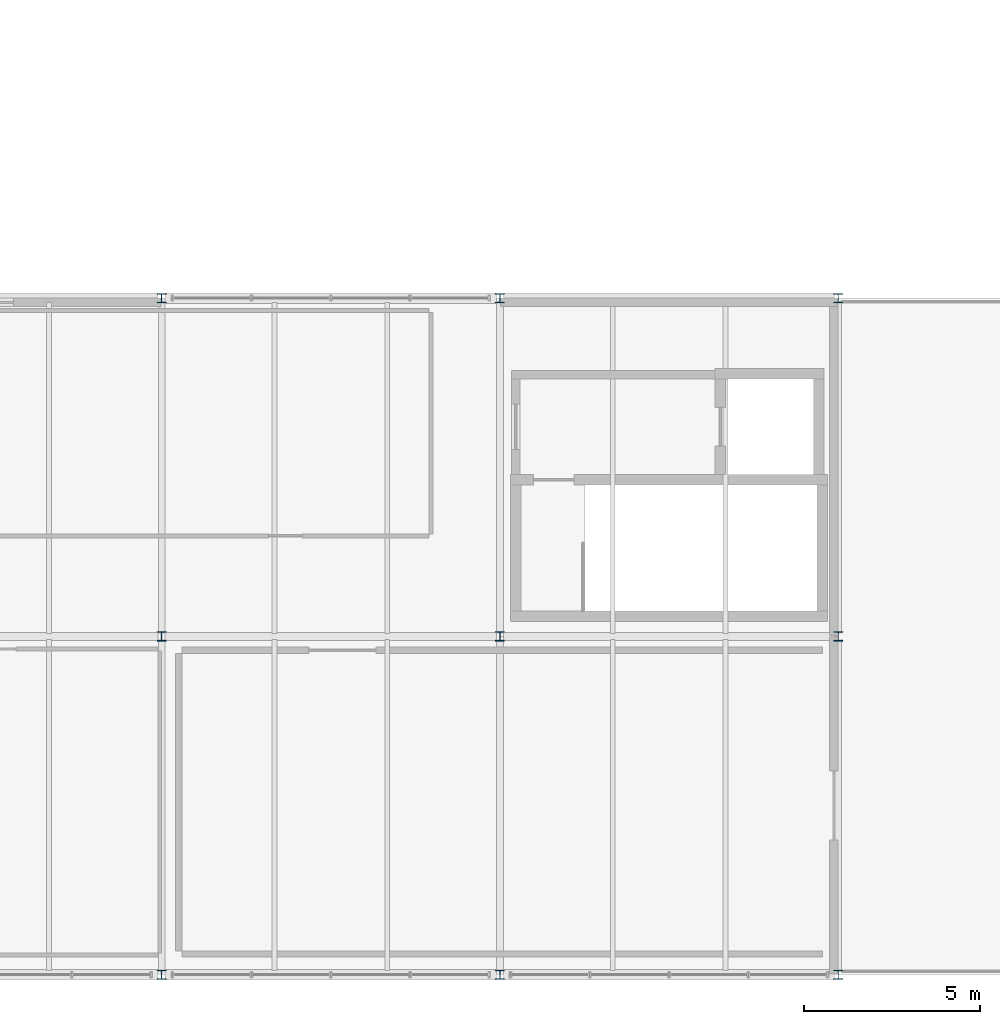
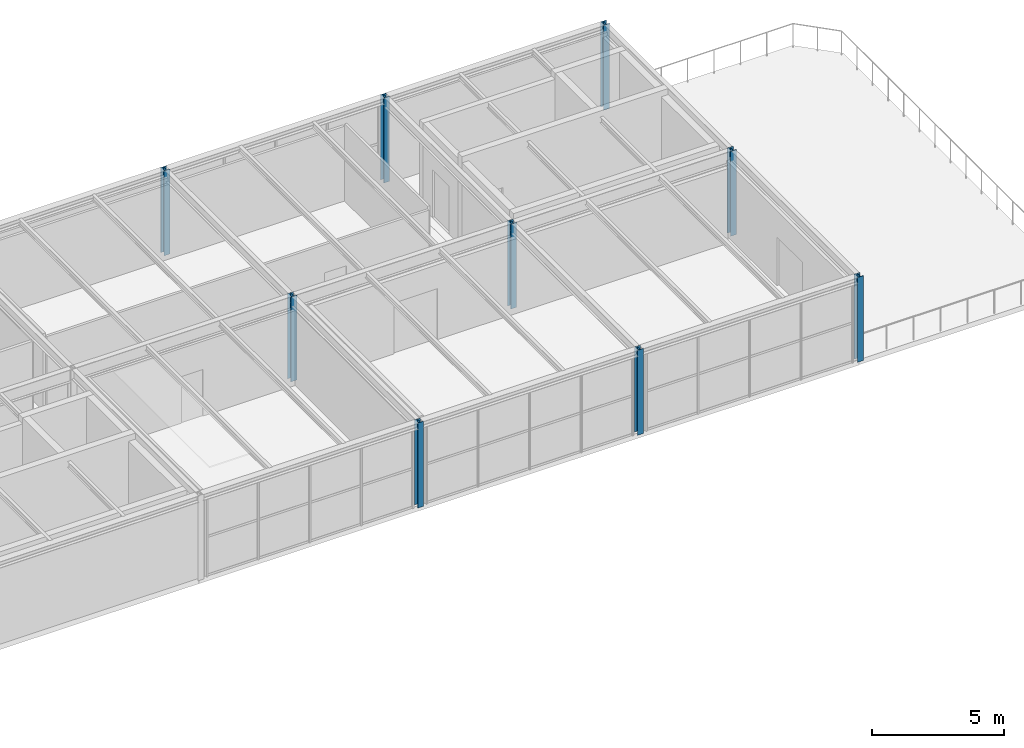
# One storey, part 3 of 33: 9 columns.
"""IFC4 building model written with IfcOpenShell, lengths in metres."""

from ifc_helpers import new_model, si_unit, direction, frame, origin, origin_2d, place, context, subcontext, project, spatial, i_section, extrude, material, material_profile, profile_set, type_object, element, save


model = new_model("IFC4")

# Units and contexts
model_context = context("Model", 3, precision=1e-05, world=origin(), true_north=direction((0.0, 1.0)))
body_context = subcontext(model_context, "Body", "Model", "MODEL_VIEW")
ifc_project = project(units=[si_unit("LENGTHUNIT", "METRE"), si_unit("AREAUNIT", "SQUARE_METRE"), si_unit("VOLUMEUNIT", "CUBIC_METRE"), si_unit("PLANEANGLEUNIT", "RADIAN"), si_unit("MASSUNIT", "GRAM", prefix="KILO")], contexts=[model_context])

# Site, building, storey
site_placement = place(None, origin())
site = spatial("IfcSite", under=ifc_project, at=site_placement, CompositionType="ELEMENT")
building_placement = place(site_placement, origin())
building = spatial("IfcBuilding", under=site, at=building_placement, Name="Coralgate Yard Interchange", CompositionType="ELEMENT")
storey_placement = place(building_placement, frame((0.0, 0.0, 23.10009765625)))
storey = spatial("IfcBuildingStorey", under=building, at=storey_placement, Name="L05", CompositionType="ELEMENT", Elevation=23.10009765625)

# Columns
ifc_material = material(Name="Structural steel S355J2", Category="steel")
ifc_material_profile = material_profile(ifc_material, i_section(OverallWidth=0.25634765625, OverallDepth=0.26025390625, WebThickness=0.01025390625, FlangeThickness=0.017333984375, FilletRadius=0.0126953125, at=origin_2d()), Name="UC 254x254x89")
ifc_profile_set = profile_set([ifc_material_profile], Name="Structural steel S355J2")
column_type = type_object("IfcColumnType", Name="COL-SC-8", PredefinedType="COLUMN", material=ifc_profile_set)
for number, where, z_axis, x_axis, name in (
    (1, (38.39990234375, 0.0, 0.0), (0.0, 0.0, 1.0), (1.0, 0.0, 0.0), "L05 structural column 4-0"),
    (2, (38.39990234375, 9.60009765625, 0.0), (0.0, 0.0, 1.0), (1.0, 0.0, 0.0), "L05 structural column 4-1"),
    (3, (38.39990234375, 19.199951171875, 0.0), (0.0, 0.0, 1.0), (1.0, 0.0, 0.0), "L05 structural column 4-2"),
    (4, (48.0, 0.0, 0.0), (0.0, 0.0, 1.0), (1.0, 0.0, 0.0), "L05 structural column 5-0"),
    (5, (48.0, 9.60009765625, 0.0), (0.0, 0.0, 1.0), (1.0, 0.0, 0.0), "L05 structural column 5-1"),
    (6, (48.0, 19.199951171875, 0.0), (0.0, 0.0, 1.0), (1.0, 0.0, 0.0), "L05 structural column 5-2"),
    (7, (57.60009765625, 0.0, 0.0), (0.0, 0.0, 1.0), (1.0, 0.0, 0.0), "L05 structural column 6-0"),
    (8, (57.60009765625, 9.60009765625, 0.0), (0.0, 0.0, 1.0), (1.0, 0.0, 0.0), "L05 structural column 6-1"),
    (9, (57.60009765625, 19.199951171875, 0.0), (0.0, 0.0, 1.0), (1.0, 0.0, 0.0), "L05 structural column 6-2"),
):
    element("IfcColumn", number, at=place(storey_placement, frame(where, z_axis=z_axis, x_axis=x_axis)), inside=storey, type_object=column_type, Name=name, PredefinedType="COLUMN", context=body_context, shape_type="SweptSolid", body=[
        extrude(i_section(OverallWidth=0.25634765625, OverallDepth=0.26025390625, WebThickness=0.01025390625, FlangeThickness=0.017333984375, FilletRadius=0.0126953125, at=origin_2d()), origin(), (0.0, 0.0, 1.0), 3.919921875),
    ])

save(model, "model.ifc")
